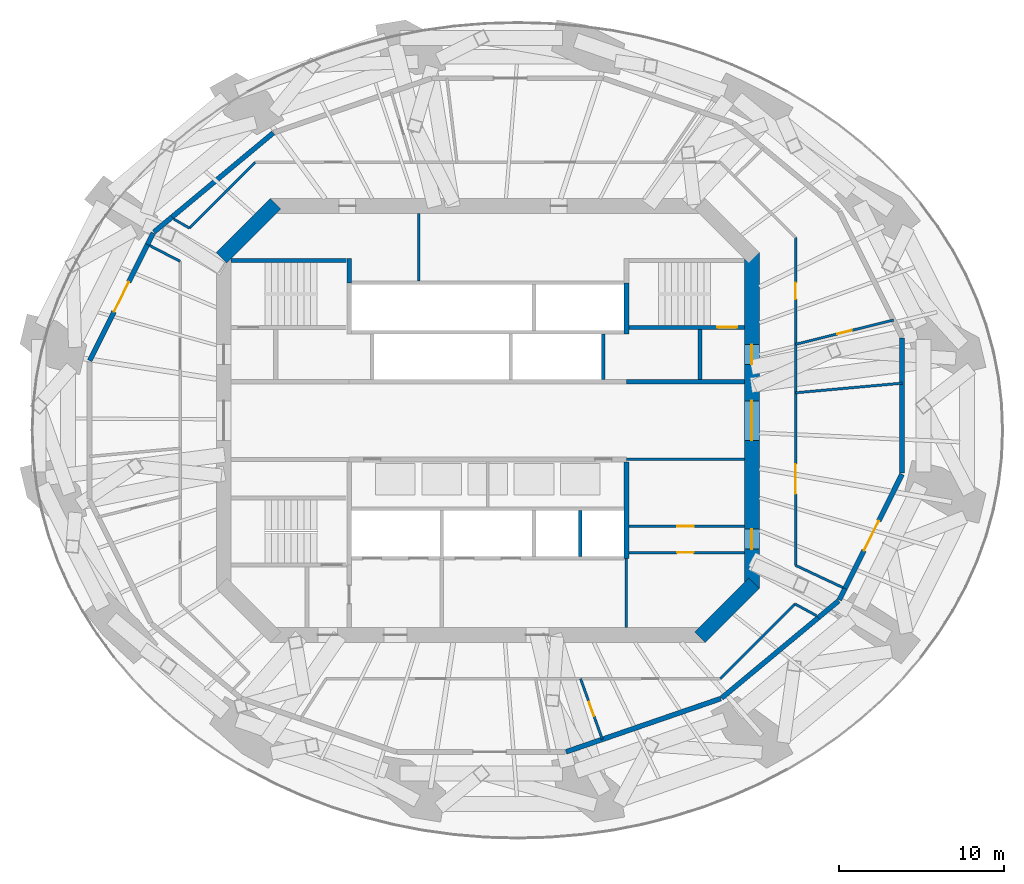
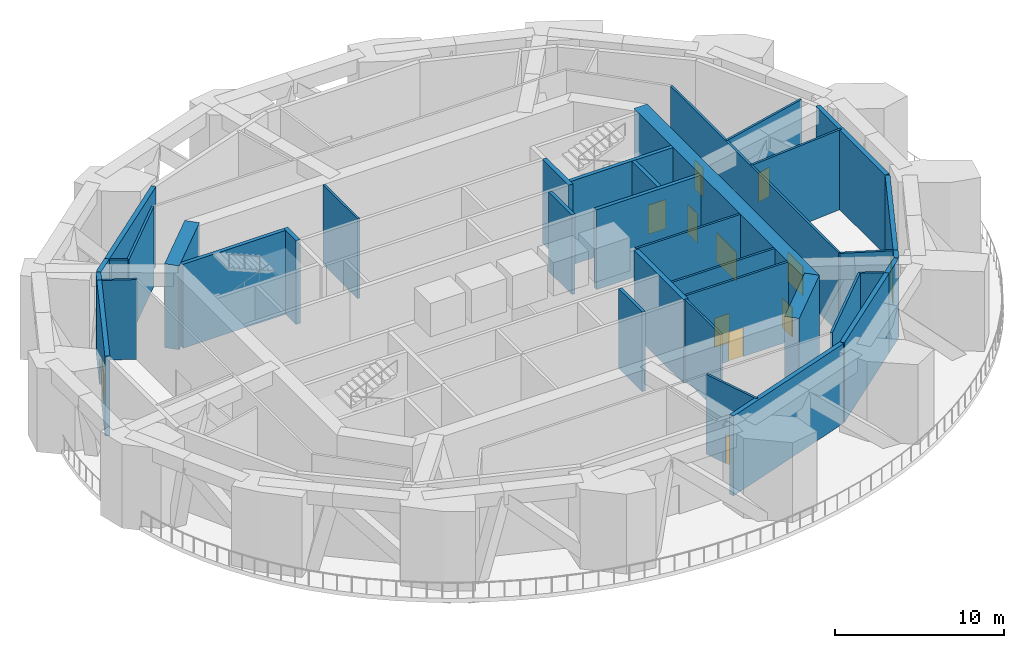
# One storey, part 6 of 11: 37 walls, 12 doors, 12 openings.
"""IFC4 building model written with IfcOpenShell, lengths in metres."""

from ifc_helpers import new_model, si_unit, direction, frame, frame_2d, origin, place, context, subcontext, project, spatial, rectangle, extrude, material, layer, layer_set, type_object, element, fill, save


model = new_model("IFC4")

# Units and contexts
model_context = context("Model", 3, precision=1e-05, world=origin(), true_north=direction((0.0, 1.0)))
body_context = subcontext(model_context, "Body", "Model", "MODEL_VIEW")
ifc_project = project(units=[si_unit("LENGTHUNIT", "METRE"), si_unit("AREAUNIT", "SQUARE_METRE"), si_unit("VOLUMEUNIT", "CUBIC_METRE"), si_unit("PLANEANGLEUNIT", "RADIAN"), si_unit("MASSUNIT", "GRAM", prefix="KILO")], contexts=[model_context])

# Site, building, storey
site_placement = place(None, origin())
site = spatial("IfcSite", under=ifc_project, at=site_placement, CompositionType="ELEMENT")
building_placement = place(site_placement, origin())
building = spatial("IfcBuilding", under=site, at=building_placement, Name="Marenthal Gate Tower", CompositionType="ELEMENT")
storey_placement = place(building_placement, frame((0.0, 0.0, 273.10009765625)))
storey = spatial("IfcBuildingStorey", under=building, at=storey_placement, Name="L61", CompositionType="ELEMENT", Elevation=273.10009765625)

# Wall
ifc_material_1 = material(Name="Concrete 60 MPa", Category="concrete")
ifc_layer_1 = layer(ifc_material_1, 0.89990234375)
ifc_layer_set_1 = layer_set([ifc_layer_1], Name="Core shear wall 900")
wall_type_1 = type_object("IfcWallType", Name="Core shear wall 900", PredefinedType="SHEAR", material=ifc_layer_set_1)
wall_1_placement = place(storey_placement, frame((12.8681640625, -13.1318359375, -0.300048828125), z_axis=(0.0, 0.0, 1.0), x_axis=(0.707106781187, 0.707106781187, 0.0)))
element("IfcWall", 1, at=wall_1_placement, inside=storey, type_object=wall_type_1, Name="Core wall 01", PredefinedType="SHEAR", context=body_context, shape_type="SweptSolid", body=[
    extrude(rectangle(XDim=4.615478515625, YDim=0.89990234375, at=frame_2d((2.3076171875, 0.0))), origin(), (0.0, 0.0, 1.0), 6.050048828125),
])

# Wall, openings, doors
wall_2_placement = place(storey_placement, frame((16.0, -10.186279296875, -0.300048828125), z_axis=(0.0, 0.0, 1.0), x_axis=(0.0, 1.0, 0.0)))
wall_2 = element("IfcWall", 2, at=wall_2_placement, inside=storey, type_object=wall_type_1, Name="Core wall 02", PredefinedType="SHEAR", context=body_context, shape_type="SweptSolid", body=[
    extrude(rectangle(XDim=20.37255859375, YDim=0.89990234375, at=frame_2d((10.186279296875, 0.0))), origin(), (0.0, 0.0, 1.0), 6.050048828125),
])
opening_1_placement = place(wall_2_placement, frame((8.986328125, 0.0, 0.300048828125)))
opening_1 = element("IfcOpeningElement", 3, at=opening_1_placement, cuts=wall_2, Name="Opening D003.02", PredefinedType="OPENING", context=body_context, shape_type="SweptSolid", body=[
    extrude(rectangle(XDim=2.39990234375, YDim=2.10009765625, at=frame_2d((1.199951171875, 1.050048828125))), frame((0.0, 0.4599609375, 0.0), z_axis=(0.0, -1.0, 0.0), x_axis=(1.0, 0.0, 0.0)), (0.0, 0.0, 1.0), 0.919921875),
])
opening_2_placement = place(wall_2_placement, frame((13.58642578125, 0.0, 0.300048828125)))
opening_2 = element("IfcOpeningElement", 4, at=opening_2_placement, cuts=wall_2, Name="Opening D001.05", PredefinedType="OPENING", context=body_context, shape_type="SweptSolid", body=[
    extrude(rectangle(XDim=1.199951171875, YDim=2.10009765625, at=frame_2d((0.60009765625, 1.050048828125))), frame((0.0, 0.4599609375, 0.0), z_axis=(0.0, -1.0, 0.0), x_axis=(1.0, 0.0, 0.0)), (0.0, 0.0, 1.0), 0.919921875),
])
opening_3_placement = place(wall_2_placement, frame((2.39990234375, 0.0, 0.300048828125)))
opening_3 = element("IfcOpeningElement", 5, at=opening_3_placement, cuts=wall_2, Name="Opening D006.01", PredefinedType="OPENING", context=body_context, shape_type="SweptSolid", body=[
    extrude(rectangle(XDim=1.199951171875, YDim=2.10009765625, at=frame_2d((0.60009765625, 1.050048828125))), frame((0.0, 0.4599609375, 0.0), z_axis=(0.0, -1.0, 0.0), x_axis=(1.0, 0.0, 0.0)), (0.0, 0.0, 1.0), 0.919921875),
])
ifc_material_2 = material(Name="Steel fire door", Category="steel")
door_type_1 = type_object("IfcDoorType", Name="Double fire door FD 45 2400 x 2100", OperationType="DOUBLE_DOOR_SINGLE_SWING", PredefinedType="DOOR", material=ifc_material_2)
door_1_placement = place(opening_1_placement, origin())
door_1 = element("IfcDoor", 6, at=door_1_placement, inside=storey, type_object=door_type_1, Name="Door D003.02", OperationType="DOUBLE_DOOR_SINGLE_SWING", OverallHeight=2.10009765625, OverallWidth=2.39990234375, PredefinedType="DOOR", context=body_context, shape_type="SweptSolid", body=[
    extrude(rectangle(XDim=2.39990234375, YDim=2.10009765625, at=frame_2d((1.199951171875, 1.050048828125))), frame((0.0, 0.02490234375, 0.0), z_axis=(0.0, -1.0, 0.0), x_axis=(1.0, 0.0, 0.0)), (0.0, 0.0, 1.0), 0.050048828125),
])
fill(opening_1, door_1)
ifc_material_3 = material(Name="Steel fire door", Category="steel")
door_type_2 = type_object("IfcDoorType", Name="Fire door FD 45 1200 x 2100", OperationType="NOTDEFINED", PredefinedType="DOOR", material=ifc_material_3)
door_2_placement = place(opening_3_placement, origin())
door_2 = element("IfcDoor", 7, at=door_2_placement, inside=storey, type_object=door_type_2, Name="Door D006.01", OperationType="SINGLE_SWING_RIGHT", OverallHeight=2.10009765625, OverallWidth=1.199951171875, PredefinedType="DOOR", context=body_context, shape_type="SweptSolid", body=[
    extrude(rectangle(XDim=1.199951171875, YDim=2.10009765625, at=frame_2d((0.60009765625, 1.050048828125))), frame((0.0, 0.02490234375, 0.0), z_axis=(0.0, -1.0, 0.0), x_axis=(1.0, 0.0, 0.0)), (0.0, 0.0, 1.0), 0.050048828125),
])
fill(opening_3, door_2)
ifc_material_4 = material(Name="Steel fire door", Category="steel")
door_type_3 = type_object("IfcDoorType", Name="Fire door FD 90 1200 x 2100", OperationType="NOTDEFINED", PredefinedType="DOOR", material=ifc_material_4)
door_3_placement = place(opening_2_placement, origin())
door_3 = element("IfcDoor", 8, at=door_3_placement, inside=storey, type_object=door_type_3, Name="Door D001.05", OperationType="SINGLE_SWING_RIGHT", OverallHeight=2.10009765625, OverallWidth=1.199951171875, PredefinedType="DOOR", context=body_context, shape_type="SweptSolid", body=[
    extrude(rectangle(XDim=1.199951171875, YDim=2.10009765625, at=frame_2d((0.60009765625, 1.050048828125))), frame((0.0, 0.02490234375, 0.0), z_axis=(0.0, -1.0, 0.0), x_axis=(1.0, 0.0, 0.0)), (0.0, 0.0, 1.0), 0.050048828125),
])
fill(opening_2, door_3)

# Walls
wall_3_placement = place(storey_placement, frame((-12.8681640625, 13.1318359375, -0.300048828125), z_axis=(0.0, 0.0, 1.0), x_axis=(-0.707106781187, -0.707106781187, 0.0)))
element("IfcWall", 9, at=wall_3_placement, inside=storey, type_object=wall_type_1, Name="Core wall 05", PredefinedType="SHEAR", context=body_context, shape_type="SweptSolid", body=[
    extrude(rectangle(XDim=4.615478515625, YDim=0.89990234375, at=frame_2d((2.3076171875, 0.0))), origin(), (0.0, 0.0, 1.0), 6.050048828125),
])
ifc_material_5 = material(Name="Concrete 40 MPa", Category="concrete")
ifc_layer_2 = layer(ifc_material_5, 0.300048828125)
ifc_layer_set_2 = layer_set([ifc_layer_2], Name="External wall 300")
wall_type_2 = type_object("IfcWallType", Name="External wall 300", PredefinedType="STANDARD", material=ifc_layer_set_2)
wall_4_placement = place(storey_placement, frame((4.739501953125, -20.078125, 0.0), z_axis=(0.0, 0.0, 1.0), x_axis=(0.945532491766, 0.325527736169, 0.0)))
element("IfcWall", 10, at=wall_4_placement, inside=storey, type_object=wall_type_2, Name="External wall 51", PredefinedType="STANDARD", context=body_context, shape_type="SweptSolid", body=[
    extrude(rectangle(XDim=9.914794921875, YDim=0.300048828125, at=frame_2d((4.95751953125, 0.0))), origin(), (0.0, 0.0, 1.0), 5.75),
])
wall_5_placement = place(storey_placement, frame((14.1611328125, -16.82421875, 0.0), z_axis=(0.0, 0.0, 1.0), x_axis=(0.769037255877, 0.639203957336, 0.0)))
element("IfcWall", 11, at=wall_5_placement, inside=storey, type_object=wall_type_2, Name="External wall 53", PredefinedType="STANDARD", context=body_context, shape_type="SweptSolid", body=[
    extrude(rectangle(XDim=7.621337890625, YDim=0.300048828125, at=frame_2d((3.810546875, 0.0))), origin(), (0.0, 0.0, 1.0), 5.75),
])
wall_6_placement = place(storey_placement, frame((-19.1328125, 12.3369140625, 0.0), z_axis=(0.0, 0.0, 1.0), x_axis=(0.769069827142, 0.639164768257, 0.0)))
element("IfcWall", 12, at=wall_6_placement, inside=storey, type_object=wall_type_2, Name="External wall 54", PredefinedType="STANDARD", context=body_context, shape_type="SweptSolid", body=[
    extrude(rectangle(XDim=7.96484375, YDim=0.300048828125, at=frame_2d((3.982421875, 0.0))), origin(), (0.0, 0.0, 1.0), 5.75),
])

# Wall, opening, door
wall_7_placement = place(storey_placement, frame((21.64501953125, -10.185546875, 0.0), z_axis=(0.0, 0.0, 1.0), x_axis=(0.4460144846, 0.895025742382, 0.0)))
wall_7 = element("IfcWall", 13, at=wall_7_placement, inside=storey, type_object=wall_type_2, Name="External wall 55", PredefinedType="STANDARD", context=body_context, shape_type="SweptSolid", body=[
    extrude(rectangle(XDim=7.739501953125, YDim=0.300048828125, at=frame_2d((3.86962890625, 0.0))), origin(), (0.0, 0.0, 1.0), 5.75),
])
opening_4_placement = place(wall_7_placement, frame((2.58740234375, 0.0, 0.0)))
opening_4 = element("IfcOpeningElement", 14, at=opening_4_placement, cuts=wall_7, Name="Opening D018.04", PredefinedType="OPENING", context=body_context, shape_type="SweptSolid", body=[
    extrude(rectangle(XDim=2.0, YDim=2.10009765625, at=frame_2d((1.0, 1.050048828125))), frame((0.0, 0.16015625, 0.0), z_axis=(0.0, -1.0, 0.0), x_axis=(1.0, 0.0, 0.0)), (0.0, 0.0, 1.0), 0.320068359375),
])
ifc_material_6 = material(Name="Steel fire door", Category="steel")
door_type_4 = type_object("IfcDoorType", Name="Double fire door FD 45 2000 x 2100", OperationType="DOUBLE_DOOR_SINGLE_SWING", PredefinedType="DOOR", material=ifc_material_6)
door_4_placement = place(opening_4_placement, frame((2.0, 0.0, 0.0), z_axis=(0.0, 0.0, 1.0), x_axis=(-1.0, 0.0, 0.0)))
door_4 = element("IfcDoor", 15, at=door_4_placement, inside=storey, type_object=door_type_4, Name="Door D018.04", OperationType="DOUBLE_DOOR_SINGLE_SWING", OverallHeight=2.10009765625, OverallWidth=2.0, PredefinedType="DOOR", context=body_context, shape_type="SweptSolid", body=[
    extrude(rectangle(XDim=2.0, YDim=2.10009765625, at=frame_2d((1.0, 1.050048828125))), frame((0.0, 0.02490234375, 0.0), z_axis=(0.0, -1.0, 0.0), x_axis=(1.0, 0.0, 0.0)), (0.0, 0.0, 1.0), 0.050048828125),
])
fill(opening_4, door_4)

wall_8_placement = place(storey_placement, frame((-24.13134765625, 3.6298828125, 0.0), z_axis=(0.0, 0.0, 1.0), x_axis=(0.446058739895, 0.895003687458, 0.0)))
wall_8 = element("IfcWall", 16, at=wall_8_placement, inside=storey, type_object=wall_type_2, Name="External wall 56", PredefinedType="STANDARD", context=body_context, shape_type="SweptSolid", body=[
    extrude(rectangle(XDim=7.86669921875, YDim=0.300048828125, at=frame_2d((3.933349609375, 0.0))), origin(), (0.0, 0.0, 1.0), 5.75),
])
opening_5_placement = place(wall_8_placement, frame((3.315673828125, 0.0, 0.0)))
opening_5 = element("IfcOpeningElement", 17, at=opening_5_placement, cuts=wall_8, Name="Opening D018.02", PredefinedType="OPENING", context=body_context, shape_type="SweptSolid", body=[
    extrude(rectangle(XDim=2.0, YDim=2.10009765625, at=frame_2d((1.0, 1.050048828125))), frame((0.0, 0.16015625, 0.0), z_axis=(0.0, -1.0, 0.0), x_axis=(1.0, 0.0, 0.0)), (0.0, 0.0, 1.0), 0.320068359375),
])
door_5_placement = place(opening_5_placement, origin())
door_5 = element("IfcDoor", 18, at=door_5_placement, inside=storey, type_object=door_type_4, Name="Door D018.02", OperationType="DOUBLE_DOOR_SINGLE_SWING", OverallHeight=2.10009765625, OverallWidth=2.0, PredefinedType="DOOR", context=body_context, shape_type="SweptSolid", body=[
    extrude(rectangle(XDim=2.0, YDim=2.10009765625, at=frame_2d((1.0, 1.050048828125))), frame((0.0, 0.02490234375, 0.0), z_axis=(0.0, -1.0, 0.0), x_axis=(1.0, 0.0, 0.0)), (0.0, 0.0, 1.0), 0.050048828125),
])
fill(opening_5, door_5)

# Walls
wall_9_placement = place(storey_placement, frame((25.11279296875, -3.191650390625, 0.0), z_axis=(0.0, 0.0, 1.0), x_axis=(0.0, 1.0, 0.0)))
element("IfcWall", 19, at=wall_9_placement, inside=storey, type_object=wall_type_2, Name="External wall 57", PredefinedType="STANDARD", context=body_context, shape_type="SweptSolid", body=[
    extrude(rectangle(XDim=8.183349609375, YDim=0.300048828125, at=frame_2d((4.091796875, 0.0))), origin(), (0.0, 0.0, 1.0), 5.75),
])
wall_10_placement = place(storey_placement, frame((20.022216796875, -11.95263671875, 0.0), z_axis=(0.0, 0.0, 1.0), x_axis=(0.769013258234, 0.63923282821, 0.0)))
element("IfcWall", 20, at=wall_10_placement, inside=storey, type_object=wall_type_2, Name="External wall 65", PredefinedType="STANDARD", context=body_context, shape_type="SweptSolid", body=[
    extrude(rectangle(XDim=1.615966796875, YDim=0.300048828125, at=frame_2d((0.80810546875, 0.0))), origin(), (0.0, 0.0, 1.0), 5.75),
])
wall_11_placement = place(storey_placement, frame((-20.2333984375, 11.42236328125, 0.0), z_axis=(0.0, 0.0, 1.0), x_axis=(0.769115538699, 0.639109762193, 0.0)))
element("IfcWall", 21, at=wall_11_placement, inside=storey, type_object=wall_type_2, Name="External wall 66", PredefinedType="STANDARD", context=body_context, shape_type="SweptSolid", body=[
    extrude(rectangle(XDim=1.430908203125, YDim=0.300048828125, at=frame_2d((0.71533203125, 0.0))), origin(), (0.0, 0.0, 1.0), 5.75),
])
wall_12_placement = place(storey_placement, frame((21.30322265625, -10.87109375, 0.0), z_axis=(0.0, 0.0, 1.0), x_axis=(0.446193434067, 0.894936544899, 0.0)))
element("IfcWall", 22, at=wall_12_placement, inside=storey, type_object=wall_type_2, Name="External wall 67", PredefinedType="STANDARD", context=body_context, shape_type="SweptSolid", body=[
    extrude(rectangle(XDim=0.76611328125, YDim=0.300048828125, at=frame_2d((0.383056640625, 0.0))), origin(), (0.0, 0.0, 1.0), 5.75),
])
wall_13_placement = place(storey_placement, frame((-20.622314453125, 10.670654296875, 0.0), z_axis=(0.0, 0.0, 1.0), x_axis=(0.446218959337, 0.89492381817, 0.0)))
element("IfcWall", 23, at=wall_13_placement, inside=storey, type_object=wall_type_2, Name="External wall 68", PredefinedType="STANDARD", context=body_context, shape_type="SweptSolid", body=[
    extrude(rectangle(XDim=0.78564453125, YDim=0.300048828125, at=frame_2d((0.392822265625, 0.0))), origin(), (0.0, 0.0, 1.0), 5.75),
])
ifc_material_7 = material(Name="Concrete 50 MPa", Category="concrete")
ifc_layer_3 = layer(ifc_material_7, 0.300048828125)
ifc_layer_set_3 = layer_set([ifc_layer_3], Name="Hoistway shear wall 300")
wall_type_3 = type_object("IfcWallType", Name="Hoistway shear wall 300", PredefinedType="SHEAR", material=ifc_layer_set_3)
wall_14_placement = place(storey_placement, frame((8.39990234375, -8.35009765625, -0.300048828125), z_axis=(0.0, 0.0, 1.0), x_axis=(0.0, 1.0, 0.0)))
element("IfcWall", 24, at=wall_14_placement, inside=storey, type_object=wall_type_3, Name="Hoistway wall 45", PredefinedType="SHEAR", context=body_context, shape_type="SweptSolid", body=[
    extrude(rectangle(XDim=5.85009765625, YDim=0.300048828125, at=frame_2d((2.925048828125, 0.0))), origin(), (0.0, 0.0, 1.0), 6.050048828125),
])
wall_15_placement = place(storey_placement, frame((8.39990234375, 5.239990234375, -0.300048828125), z_axis=(0.0, 0.0, 1.0), x_axis=(0.0, 1.0, 0.0)))
element("IfcWall", 25, at=wall_15_placement, inside=storey, type_object=wall_type_3, Name="Hoistway wall 46", PredefinedType="SHEAR", context=body_context, shape_type="SweptSolid", body=[
    extrude(rectangle(XDim=3.110107421875, YDim=0.300048828125, at=frame_2d((1.55517578125, 0.0))), origin(), (0.0, 0.0, 1.0), 6.050048828125),
])
ifc_material_8 = material(Name="Concrete 40 MPa", Category="concrete")
ifc_layer_4 = layer(ifc_material_8, 0.219970703125)
ifc_layer_set_4 = layer_set([ifc_layer_4], Name="Hoistway wall 220")
wall_type_4 = type_object("IfcWallType", Name="Hoistway wall 220", PredefinedType="STANDARD", material=ifc_layer_set_4)
wall_16_placement = place(storey_placement, frame((5.60009765625, -8.239990234375, 0.0), z_axis=(0.0, 0.0, 1.0), x_axis=(0.0, 1.0, 0.0)))
element("IfcWall", 26, at=wall_16_placement, inside=storey, type_object=wall_type_4, Name="Hoistway wall 42", PredefinedType="STANDARD", context=body_context, shape_type="SweptSolid", body=[
    extrude(rectangle(XDim=2.780029296875, YDim=0.219970703125, at=frame_2d((1.39013671875, 0.0))), origin(), (0.0, 0.0, 1.0), 5.75),
])
wall_17_placement = place(storey_placement, frame((7.0, 2.5, 0.0), z_axis=(0.0, 0.0, 1.0), x_axis=(0.0, 1.0, 0.0)))
element("IfcWall", 27, at=wall_17_placement, inside=storey, type_object=wall_type_4, Name="Hoistway wall 43", PredefinedType="STANDARD", context=body_context, shape_type="SweptSolid", body=[
    extrude(rectangle(XDim=2.739990234375, YDim=0.219970703125, at=frame_2d((1.3701171875, 0.0))), origin(), (0.0, 0.0, 1.0), 5.75),
])

# Wall, opening, door
ifc_material_9 = material(Name="Gypsum board on steel studs", Category="steel")
ifc_layer_5 = layer(ifc_material_9, 0.14990234375)
ifc_layer_set_5 = layer_set([ifc_layer_5], Name="Partition 150")
wall_type_5 = type_object("IfcWallType", Name="Partition 150", PredefinedType="PARTITIONING", material=ifc_layer_set_5)
wall_18_placement = place(storey_placement, frame((8.550048828125, -8.0, 0.0), z_axis=(0.0, 0.0, 1.0), x_axis=(1.0, 0.0, 0.0)))
wall_18 = element("IfcWall", 28, at=wall_18_placement, inside=storey, type_object=wall_type_5, Name="Partition wall 12", PredefinedType="PARTITIONING", context=body_context, shape_type="SweptSolid", body=[
    extrude(rectangle(XDim=7.0, YDim=0.14990234375, at=frame_2d((3.5, 0.0))), origin(), (0.0, 0.0, 1.0), 5.75),
])
opening_6_placement = place(wall_18_placement, frame((2.925048828125, 0.0, 0.0)))
opening_6 = element("IfcOpeningElement", 29, at=opening_6_placement, cuts=wall_18, Name="Opening D005.06", PredefinedType="OPENING", context=body_context, shape_type="SweptSolid", body=[
    extrude(rectangle(XDim=1.0, YDim=2.10009765625, at=frame_2d((0.5, 1.050048828125))), frame((0.0, 0.0849609375, 0.0), z_axis=(0.0, -1.0, 0.0), x_axis=(1.0, 0.0, 0.0)), (0.0, 0.0, 1.0), 0.169921875),
])
ifc_material_10 = material(Name="Steel fire door", Category="steel")
door_type_5 = type_object("IfcDoorType", Name="Fire door FD 45 1000 x 2100", OperationType="NOTDEFINED", PredefinedType="DOOR", material=ifc_material_10)
door_6_placement = place(opening_6_placement, frame((1.0, 0.0, 0.0), z_axis=(0.0, 0.0, 1.0), x_axis=(-1.0, 0.0, 0.0)))
door_6 = element("IfcDoor", 30, at=door_6_placement, inside=storey, type_object=door_type_5, Name="Door D005.06", OperationType="SINGLE_SWING_LEFT", OverallHeight=2.10009765625, OverallWidth=1.0, PredefinedType="DOOR", context=body_context, shape_type="SweptSolid", body=[
    extrude(rectangle(XDim=1.0, YDim=2.10009765625, at=frame_2d((0.5, 1.050048828125))), frame((0.0, 0.02490234375, 0.0), z_axis=(0.0, -1.0, 0.0), x_axis=(1.0, 0.0, 0.0)), (0.0, 0.0, 1.0), 0.050048828125),
])
fill(opening_6, door_6)

wall_19_placement = place(storey_placement, frame((8.550048828125, -6.39990234375, 0.0), z_axis=(0.0, 0.0, 1.0), x_axis=(1.0, 0.0, 0.0)))
wall_19 = element("IfcWall", 31, at=wall_19_placement, inside=storey, type_object=wall_type_5, Name="Partition wall 13", PredefinedType="PARTITIONING", context=body_context, shape_type="SweptSolid", body=[
    extrude(rectangle(XDim=7.0, YDim=0.14990234375, at=frame_2d((3.5, 0.0))), origin(), (0.0, 0.0, 1.0), 5.75),
])
opening_7_placement = place(wall_19_placement, frame((2.925048828125, 0.0, 0.0)))
opening_7 = element("IfcOpeningElement", 32, at=opening_7_placement, cuts=wall_19, Name="Opening D005.05", PredefinedType="OPENING", context=body_context, shape_type="SweptSolid", body=[
    extrude(rectangle(XDim=1.0, YDim=2.10009765625, at=frame_2d((0.5, 1.050048828125))), frame((0.0, 0.0849609375, 0.0), z_axis=(0.0, -1.0, 0.0), x_axis=(1.0, 0.0, 0.0)), (0.0, 0.0, 1.0), 0.169921875),
])
door_7_placement = place(opening_7_placement, origin())
door_7 = element("IfcDoor", 33, at=door_7_placement, inside=storey, type_object=door_type_5, Name="Door D005.05", OperationType="SINGLE_SWING_RIGHT", OverallHeight=2.10009765625, OverallWidth=1.0, PredefinedType="DOOR", context=body_context, shape_type="SweptSolid", body=[
    extrude(rectangle(XDim=1.0, YDim=2.10009765625, at=frame_2d((0.5, 1.050048828125))), frame((0.0, 0.02490234375, 0.0), z_axis=(0.0, -1.0, 0.0), x_axis=(1.0, 0.0, 0.0)), (0.0, 0.0, 1.0), 0.050048828125),
])
fill(opening_7, door_7)

# Walls
wall_20_placement = place(storey_placement, frame((8.39990234375, -2.35009765625, 0.0), z_axis=(0.0, 0.0, 1.0), x_axis=(1.0, 0.0, 0.0)))
element("IfcWall", 34, at=wall_20_placement, inside=storey, type_object=wall_type_5, Name="Partition wall 18", PredefinedType="PARTITIONING", context=body_context, shape_type="SweptSolid", body=[
    extrude(rectangle(XDim=7.150146484375, YDim=0.14990234375, at=frame_2d((3.5751953125, 0.0))), origin(), (0.0, 0.0, 1.0), 5.75),
])
wall_21_placement = place(storey_placement, frame((-4.199951171875, 8.4599609375, 0.0), z_axis=(0.0, 0.0, 1.0), x_axis=(0.0, 1.0, 0.0)))
element("IfcWall", 35, at=wall_21_placement, inside=storey, type_object=wall_type_5, Name="Partition wall 35", PredefinedType="PARTITIONING", context=body_context, shape_type="SweptSolid", body=[
    extrude(rectangle(XDim=4.090087890625, YDim=0.14990234375, at=frame_2d((2.044921875, 0.0))), origin(), (0.0, 0.0, 1.0), 5.75),
])
wall_22_placement = place(storey_placement, frame((8.39990234375, -12.550048828125, 0.0), z_axis=(0.0, 0.0, 1.0), x_axis=(0.0, 1.0, 0.0)))
element("IfcWall", 36, at=wall_22_placement, inside=storey, type_object=wall_type_5, Name="Partition wall 44", PredefinedType="PARTITIONING", context=body_context, shape_type="SweptSolid", body=[
    extrude(rectangle(XDim=4.199951171875, YDim=0.14990234375, at=frame_2d((2.10009765625, 0.0))), origin(), (0.0, 0.0, 1.0), 5.75),
])
wall_23_placement = place(storey_placement, frame((18.64990234375, 1.6826171875, 0.0), z_axis=(0.0, 0.0, 1.0), x_axis=(0.995955876616, 0.089843707818, 0.0)))
element("IfcWall", 37, at=wall_23_placement, inside=storey, type_object=wall_type_5, Name="Partition wall 74", PredefinedType="PARTITIONING", context=body_context, shape_type="SweptSolid", body=[
    extrude(rectangle(XDim=6.489013671875, YDim=0.14990234375, at=frame_2d((3.24462890625, 0.0))), origin(), (0.0, 0.0, 1.0), 5.75),
])

# Wall, opening, door
wall_24_placement = place(storey_placement, frame((18.64990234375, 4.62060546875, 0.0), z_axis=(0.0, 0.0, 1.0), x_axis=(0.970650214712, 0.24049565626, 0.0)))
wall_24 = element("IfcWall", 38, at=wall_24_placement, inside=storey, type_object=wall_type_5, Name="Partition wall 76", PredefinedType="PARTITIONING", context=body_context, shape_type="SweptSolid", body=[
    extrude(rectangle(XDim=6.1123046875, YDim=0.14990234375, at=frame_2d((3.05615234375, 0.0))), origin(), (0.0, 0.0, 1.0), 5.75),
])
opening_8_placement = place(wall_24_placement, frame((2.606201171875, 0.0, 0.0)))
opening_8 = element("IfcOpeningElement", 39, at=opening_8_placement, cuts=wall_24, Name="Opening D010.01", PredefinedType="OPENING", context=body_context, shape_type="SweptSolid", body=[
    extrude(rectangle(XDim=0.89990234375, YDim=2.10009765625, at=frame_2d((0.449951171875, 1.050048828125))), frame((0.0, 0.0849609375, 0.0), z_axis=(0.0, -1.0, 0.0), x_axis=(1.0, 0.0, 0.0)), (0.0, 0.0, 1.0), 0.169921875),
])
ifc_material_11 = material(Name="Steel fire door", Category="steel")
door_type_6 = type_object("IfcDoorType", Name="Fire door FD 45 900 x 2100", OperationType="NOTDEFINED", PredefinedType="DOOR", material=ifc_material_11)
door_8_placement = place(opening_8_placement, frame((0.89990234375, 0.0, 0.0), z_axis=(0.0, 0.0, 1.0), x_axis=(-1.0, 0.0, 0.0)))
door_8 = element("IfcDoor", 40, at=door_8_placement, inside=storey, type_object=door_type_6, Name="Door D010.01", OperationType="SINGLE_SWING_LEFT", OverallHeight=2.10009765625, OverallWidth=0.89990234375, PredefinedType="DOOR", context=body_context, shape_type="SweptSolid", body=[
    extrude(rectangle(XDim=0.89990234375, YDim=2.10009765625, at=frame_2d((0.449951171875, 1.050048828125))), frame((0.0, 0.02490234375, 0.0), z_axis=(0.0, -1.0, 0.0), x_axis=(1.0, 0.0, 0.0)), (0.0, 0.0, 1.0), 0.050048828125),
])
fill(opening_8, door_8)

# Walls
wall_25_placement = place(storey_placement, frame((14.09765625, -15.64990234375, 0.0), z_axis=(0.0, 0.0, 1.0), x_axis=(0.707106781187, 0.707106781187, 0.0)))
element("IfcWall", 41, at=wall_25_placement, inside=storey, type_object=wall_type_5, Name="Partition wall 78", PredefinedType="PARTITIONING", context=body_context, shape_type="SweptSolid", body=[
    extrude(rectangle(XDim=6.406005859375, YDim=0.14990234375, at=frame_2d((3.203125, 0.0))), origin(), (0.0, 0.0, 1.0), 5.75),
])
wall_26_placement = place(storey_placement, frame((-18.08935546875, 11.658203125, 0.0), z_axis=(0.0, 0.0, 1.0), x_axis=(0.707106781187, 0.707106781187, 0.0)))
element("IfcWall", 42, at=wall_26_placement, inside=storey, type_object=wall_type_5, Name="Partition wall 79", PredefinedType="PARTITIONING", context=body_context, shape_type="SweptSolid", body=[
    extrude(rectangle(XDim=5.64501953125, YDim=0.14990234375, at=frame_2d((2.822509765625, 0.0))), origin(), (0.0, 0.0, 1.0), 5.75),
])

# Wall, openings, doors
wall_27_placement = place(storey_placement, frame((18.64990234375, -8.7763671875, 0.0), z_axis=(0.0, 0.0, 1.0), x_axis=(0.0, 1.0, 0.0)))
wall_27 = element("IfcWall", 43, at=wall_27_placement, inside=storey, type_object=wall_type_5, Name="Partition wall 83", PredefinedType="PARTITIONING", context=body_context, shape_type="SweptSolid", body=[
    extrude(rectangle(XDim=19.8740234375, YDim=0.14990234375, at=frame_2d((9.93701171875, 0.0))), origin(), (0.0, 0.0, 1.0), 5.75),
])
opening_9_placement = place(wall_27_placement, frame((16.135498046875, 0.0, 0.0)))
opening_9 = element("IfcOpeningElement", 44, at=opening_9_placement, cuts=wall_27, Name="Opening D005.07", PredefinedType="OPENING", context=body_context, shape_type="SweptSolid", body=[
    extrude(rectangle(XDim=1.0, YDim=2.10009765625, at=frame_2d((0.5, 1.050048828125))), frame((0.0, 0.0849609375, 0.0), z_axis=(0.0, -1.0, 0.0), x_axis=(1.0, 0.0, 0.0)), (0.0, 0.0, 1.0), 0.169921875),
])
opening_10_placement = place(wall_27_placement, frame((4.329345703125, 0.0, 0.0)))
opening_10 = element("IfcOpeningElement", 45, at=opening_10_placement, cuts=wall_27, Name="Opening D007.04", PredefinedType="OPENING", context=body_context, shape_type="SweptSolid", body=[
    extrude(rectangle(XDim=1.800048828125, YDim=2.10009765625, at=frame_2d((0.89990234375, 1.050048828125))), frame((0.0, 0.0849609375, 0.0), z_axis=(0.0, -1.0, 0.0), x_axis=(1.0, 0.0, 0.0)), (0.0, 0.0, 1.0), 0.169921875),
])
ifc_material_12 = material(Name="Steel fire door", Category="steel")
door_type_7 = type_object("IfcDoorType", Name="Double fire door FD 45 1800 x 2100", OperationType="DOUBLE_DOOR_SINGLE_SWING", PredefinedType="DOOR", material=ifc_material_12)
door_9_placement = place(opening_10_placement, origin())
door_9 = element("IfcDoor", 46, at=door_9_placement, inside=storey, type_object=door_type_7, Name="Door D007.04", OperationType="DOUBLE_DOOR_SINGLE_SWING", OverallHeight=2.10009765625, OverallWidth=1.800048828125, PredefinedType="DOOR", context=body_context, shape_type="SweptSolid", body=[
    extrude(rectangle(XDim=1.800048828125, YDim=2.10009765625, at=frame_2d((0.89990234375, 1.050048828125))), frame((0.0, 0.02490234375, 0.0), z_axis=(0.0, -1.0, 0.0), x_axis=(1.0, 0.0, 0.0)), (0.0, 0.0, 1.0), 0.050048828125),
])
fill(opening_10, door_9)
door_10_placement = place(opening_9_placement, frame((1.0, 0.0, 0.0), z_axis=(0.0, 0.0, 1.0), x_axis=(-1.0, 0.0, 0.0)))
door_10 = element("IfcDoor", 47, at=door_10_placement, inside=storey, type_object=door_type_5, Name="Door D005.07", OperationType="SINGLE_SWING_LEFT", OverallHeight=2.10009765625, OverallWidth=1.0, PredefinedType="DOOR", context=body_context, shape_type="SweptSolid", body=[
    extrude(rectangle(XDim=1.0, YDim=2.10009765625, at=frame_2d((0.5, 1.050048828125))), frame((0.0, 0.02490234375, 0.0), z_axis=(0.0, -1.0, 0.0), x_axis=(1.0, 0.0, 0.0)), (0.0, 0.0, 1.0), 0.050048828125),
])
fill(opening_9, door_10)

# Wall, opening, door
wall_28_placement = place(storey_placement, frame((6.93896484375, -19.321044921875, 0.0), z_axis=(0.0, 0.0, 1.0), x_axis=(-0.337981326468, 0.941152815944, 0.0)))
wall_28 = element("IfcWall", 48, at=wall_28_placement, inside=storey, type_object=wall_type_5, Name="Partition wall 88", PredefinedType="PARTITIONING", context=body_context, shape_type="SweptSolid", body=[
    extrude(rectangle(XDim=3.900634765625, YDim=0.14990234375, at=frame_2d((1.9501953125, 0.0))), origin(), (0.0, 0.0, 1.0), 5.75),
])
opening_11_placement = place(wall_28_placement, frame((1.500244140625, 0.0, 0.0)))
opening_11 = element("IfcOpeningElement", 49, at=opening_11_placement, cuts=wall_28, Name="Opening D010.05", PredefinedType="OPENING", context=body_context, shape_type="SweptSolid", body=[
    extrude(rectangle(XDim=0.89990234375, YDim=2.10009765625, at=frame_2d((0.449951171875, 1.050048828125))), frame((0.0, 0.0849609375, 0.0), z_axis=(0.0, -1.0, 0.0), x_axis=(1.0, 0.0, 0.0)), (0.0, 0.0, 1.0), 0.169921875),
])
door_11_placement = place(opening_11_placement, origin())
door_11 = element("IfcDoor", 50, at=door_11_placement, inside=storey, type_object=door_type_6, Name="Door D010.05", OperationType="SINGLE_SWING_RIGHT", OverallHeight=2.10009765625, OverallWidth=0.89990234375, PredefinedType="DOOR", context=body_context, shape_type="SweptSolid", body=[
    extrude(rectangle(XDim=0.89990234375, YDim=2.10009765625, at=frame_2d((0.449951171875, 1.050048828125))), frame((0.0, 0.02490234375, 0.0), z_axis=(0.0, -1.0, 0.0), x_axis=(1.0, 0.0, 0.0)), (0.0, 0.0, 1.0), 0.050048828125),
])
fill(opening_11, door_11)

# Walls
wall_29_placement = place(storey_placement, frame((-18.085693359375, 11.661865234375, 0.0), z_axis=(0.0, 0.0, 1.0), x_axis=(-0.864984308723, 0.501798909587, 0.0)))
element("IfcWall", 51, at=wall_29_placement, inside=storey, type_object=wall_type_5, Name="Partition wall 91", PredefinedType="PARTITIONING", context=body_context, shape_type="SweptSolid", body=[
    extrude(rectangle(XDim=1.0849609375, YDim=0.14990234375, at=frame_2d((0.54248046875, 0.0))), origin(), (0.0, 0.0, 1.0), 5.75),
])
wall_30_placement = place(storey_placement, frame((19.913330078125, -11.822021484375, 0.0), z_axis=(0.0, 0.0, 1.0), x_axis=(-0.877749049089, 0.479120659983, 0.0)))
element("IfcWall", 52, at=wall_30_placement, inside=storey, type_object=wall_type_5, Name="Partition wall 92", PredefinedType="PARTITIONING", context=body_context, shape_type="SweptSolid", body=[
    extrude(rectangle(XDim=1.465087890625, YDim=0.14990234375, at=frame_2d((0.732421875, 0.0))), origin(), (0.0, 0.0, 1.0), 5.75),
])
wall_31_placement = place(storey_placement, frame((-18.64990234375, 9.650146484375, 0.0), z_axis=(0.0, 0.0, 1.0), x_axis=(-0.887711908644, 0.460399356267, 0.0)))
element("IfcWall", 53, at=wall_31_placement, inside=storey, type_object=wall_type_5, Name="Partition wall 93", PredefinedType="PARTITIONING", context=body_context, shape_type="SweptSolid", body=[
    extrude(rectangle(XDim=2.080810546875, YDim=0.14990234375, at=frame_2d((1.04052734375, 0.0))), origin(), (0.0, 0.0, 1.0), 5.75),
])
wall_32_placement = place(storey_placement, frame((21.51953125, -10.123291015625, 0.0), z_axis=(0.0, 0.0, 1.0), x_axis=(-0.905242385039, 0.424895545198, 0.0)))
element("IfcWall", 54, at=wall_32_placement, inside=storey, type_object=wall_type_5, Name="Partition wall 94", PredefinedType="PARTITIONING", context=body_context, shape_type="SweptSolid", body=[
    extrude(rectangle(XDim=3.169921875, YDim=0.14990234375, at=frame_2d((1.5849609375, 0.0))), origin(), (0.0, 0.0, 1.0), 5.75),
])
ifc_material_13 = material(Name="Concrete 40 MPa", Category="concrete")
ifc_layer_6 = layer(ifc_material_13, 0.25)
ifc_layer_set_6 = layer_set([ifc_layer_6], Name="Stair enclosure wall 250")
wall_type_6 = type_object("IfcWallType", Name="Stair enclosure wall 250", PredefinedType="STANDARD", material=ifc_layer_set_6)
wall_33_placement = place(storey_placement, frame((8.39990234375, 2.35009765625, 0.0), z_axis=(0.0, 0.0, 1.0), x_axis=(1.0, 0.0, 0.0)))
element("IfcWall", 55, at=wall_33_placement, inside=storey, type_object=wall_type_6, Name="Stair wall 21", PredefinedType="STANDARD", context=body_context, shape_type="SweptSolid", body=[
    extrude(rectangle(XDim=7.150146484375, YDim=0.25, at=frame_2d((3.5751953125, 0.0))), origin(), (0.0, 0.0, 1.0), 5.75),
])
wall_34_placement = place(storey_placement, frame((12.85009765625, 2.47509765625, 0.0), z_axis=(0.0, 0.0, 1.0), x_axis=(0.0, 1.0, 0.0)))
element("IfcWall", 56, at=wall_34_placement, inside=storey, type_object=wall_type_6, Name="Stair wall 48", PredefinedType="STANDARD", context=body_context, shape_type="SweptSolid", body=[
    extrude(rectangle(XDim=3.0498046875, YDim=0.25, at=frame_2d((1.52490234375, 0.0))), origin(), (0.0, 0.0, 1.0), 5.75),
])

# Wall, opening, door
ifc_material_14 = material(Name="Concrete 50 MPa", Category="concrete")
ifc_layer_7 = layer(ifc_material_14, 0.25)
ifc_layer_set_7 = layer_set([ifc_layer_7], Name="Stair shear wall 250")
wall_type_7 = type_object("IfcWallType", Name="Stair shear wall 250", PredefinedType="SHEAR", material=ifc_layer_set_7)
wall_35_placement = place(storey_placement, frame((8.550048828125, 5.64990234375, -0.300048828125), z_axis=(0.0, 0.0, 1.0), x_axis=(1.0, 0.0, 0.0)))
wall_35 = element("IfcWall", 57, at=wall_35_placement, inside=storey, type_object=wall_type_7, Name="Stair wall 24", PredefinedType="SHEAR", context=body_context, shape_type="SweptSolid", body=[
    extrude(rectangle(XDim=7.0, YDim=0.25, at=frame_2d((3.5, 0.0))), origin(), (0.0, 0.0, 1.0), 6.050048828125),
])
opening_12_placement = place(wall_35_placement, frame((5.35009765625, 0.0, 0.300048828125)))
opening_12 = element("IfcOpeningElement", 58, at=opening_12_placement, cuts=wall_35, Name="Opening D001.02", PredefinedType="OPENING", context=body_context, shape_type="SweptSolid", body=[
    extrude(rectangle(XDim=1.199951171875, YDim=2.10009765625, at=frame_2d((0.60009765625, 1.050048828125))), frame((0.0, 0.135009765625, 0.0), z_axis=(0.0, -1.0, 0.0), x_axis=(1.0, 0.0, 0.0)), (0.0, 0.0, 1.0), 0.27001953125),
])
door_12_placement = place(opening_12_placement, origin())
door_12 = element("IfcDoor", 59, at=door_12_placement, inside=storey, type_object=door_type_3, Name="Door D001.02", OperationType="SINGLE_SWING_RIGHT", OverallHeight=2.10009765625, OverallWidth=1.199951171875, PredefinedType="DOOR", context=body_context, shape_type="SweptSolid", body=[
    extrude(rectangle(XDim=1.199951171875, YDim=2.10009765625, at=frame_2d((0.60009765625, 1.050048828125))), frame((0.0, 0.02490234375, 0.0), z_axis=(0.0, -1.0, 0.0), x_axis=(1.0, 0.0, 0.0)), (0.0, 0.0, 1.0), 0.050048828125),
])
fill(opening_12, door_12)

# Walls
wall_36_placement = place(storey_placement, frame((-15.550048828125, 9.699951171875, -0.300048828125), z_axis=(0.0, 0.0, 1.0), x_axis=(1.0, 0.0, 0.0)))
element("IfcWall", 60, at=wall_36_placement, inside=storey, type_object=wall_type_7, Name="Stair wall 26", PredefinedType="SHEAR", context=body_context, shape_type="SweptSolid", body=[
    extrude(rectangle(XDim=7.0, YDim=0.25, at=frame_2d((3.5, 0.0))), origin(), (0.0, 0.0, 1.0), 6.050048828125),
])
ifc_material_15 = material(Name="Concrete 50 MPa", Category="concrete")
ifc_layer_8 = layer(ifc_material_15, 0.300048828125)
ifc_layer_set_8 = layer_set([ifc_layer_8], Name="Stair shear wall 300")
wall_type_8 = type_object("IfcWallType", Name="Stair shear wall 300", PredefinedType="SHEAR", material=ifc_layer_set_8)
wall_37_placement = place(storey_placement, frame((-8.39990234375, 8.35009765625, -0.300048828125), z_axis=(0.0, 0.0, 1.0), x_axis=(0.0, 1.0, 0.0)))
element("IfcWall", 61, at=wall_37_placement, inside=storey, type_object=wall_type_8, Name="Stair wall 33", PredefinedType="SHEAR", context=body_context, shape_type="SweptSolid", body=[
    extrude(rectangle(XDim=1.474853515625, YDim=0.300048828125, at=frame_2d((0.7373046875, 0.0))), origin(), (0.0, 0.0, 1.0), 6.050048828125),
])

save(model, "model.ifc")
